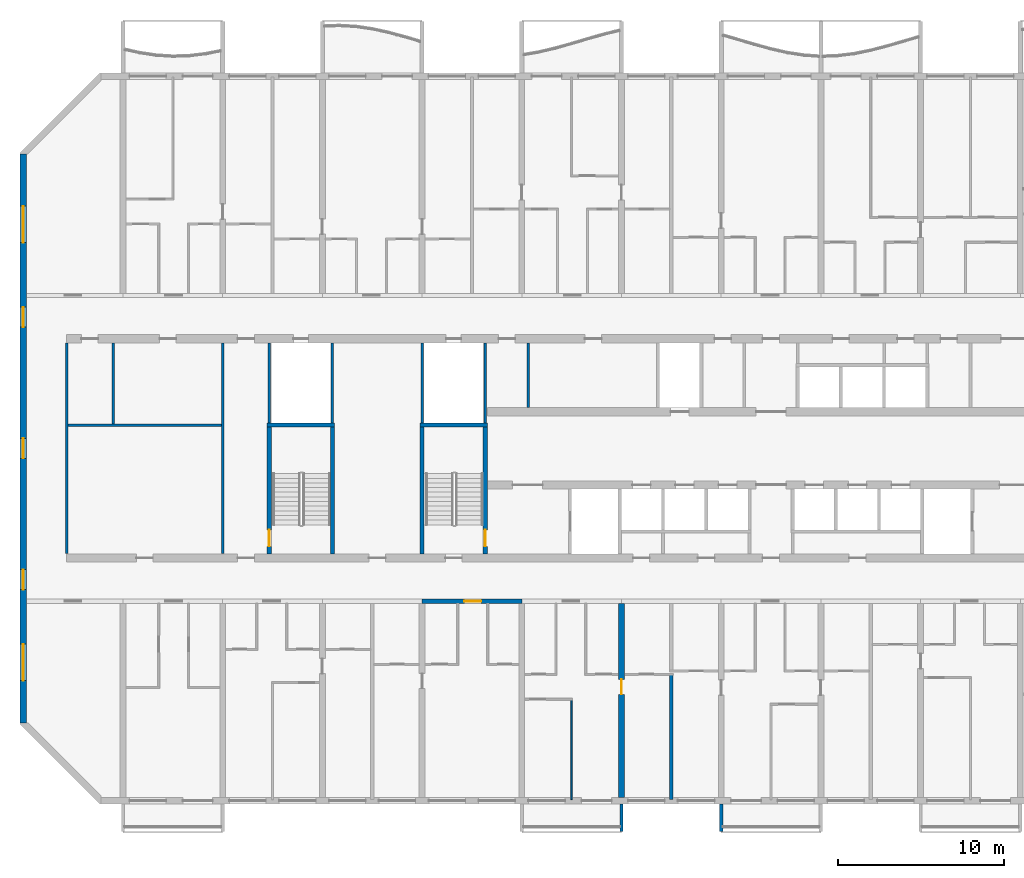
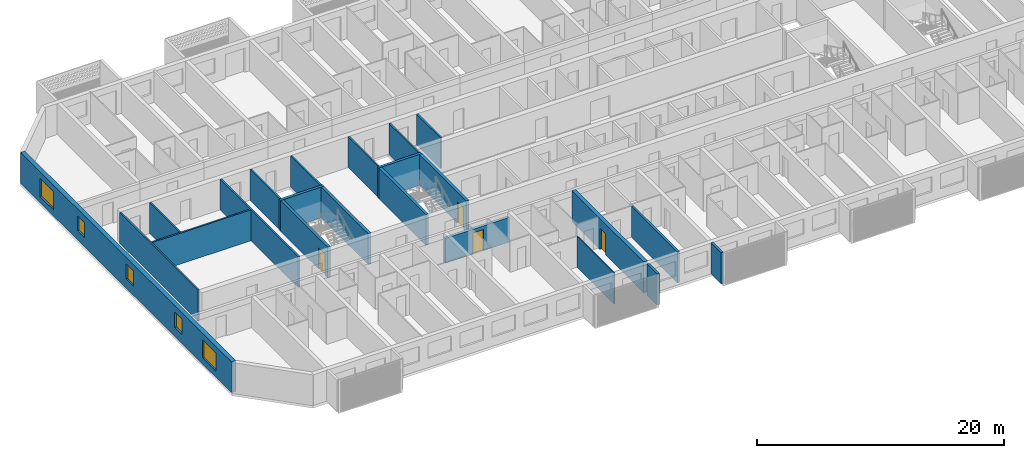
# One storey, part 3 of 26: 22 walls, 5 windows, 4 doors, 9 openings.
"""IFC4 building model written with IfcOpenShell, lengths in metres."""

from ifc_helpers import new_model, si_unit, direction, frame, frame_2d, origin, place, context, subcontext, project, spatial, polyline, rectangle, outline, extrude, source, transform, mapped, material, layer, layer_set, type_object, element, fill, save


model = new_model("IFC4")

# Units and contexts
model_context = context("Model", 3, precision=1e-05, world=origin(), true_north=direction((0.0, 1.0)))
body_context = subcontext(model_context, "Body", "Model", "MODEL_VIEW")
ifc_project = project(units=[si_unit("LENGTHUNIT", "METRE"), si_unit("AREAUNIT", "SQUARE_METRE"), si_unit("VOLUMEUNIT", "CUBIC_METRE"), si_unit("PLANEANGLEUNIT", "RADIAN"), si_unit("MASSUNIT", "GRAM", prefix="KILO")], contexts=[model_context])

# Site, building, storey
site_placement = place(None, origin())
site = spatial("IfcSite", under=ifc_project, at=site_placement, CompositionType="ELEMENT")
building_placement = place(site_placement, origin())
building = spatial("IfcBuilding", under=site, at=building_placement, Name="Poui Terraces", CompositionType="ELEMENT")
storey_placement = place(building_placement, frame((0.0, 0.0, 96.0)))
storey = spatial("IfcBuildingStorey", under=building, at=storey_placement, Name="L26", CompositionType="ELEMENT", Elevation=96.0)

# Walls
ifc_material_1 = material(Name="Fire-rated plasterboard wall")
ifc_layer_1 = layer(ifc_material_1, 0.14990234375)
ifc_layer_set_1 = layer_set([ifc_layer_1], Name="Fire-rated plasterboard wall")
wall_type_1 = type_object("IfcWallType", Name="CORRIDOR WALL 150", PredefinedType="PARTITIONING", material=ifc_layer_set_1)
for number, where, z_axis, x_axis, name in (
    (1, (8.60009765625, 14.860107421875, 0.0), (0.0, 0.0, 1.0), (0.0, 1.0, 0.0), "CORRIDOR WALL 150"),
    (2, (18.0, 14.860107421875, 0.0), (0.0, 0.0, 1.0), (0.0, 1.0, 0.0), "CORRIDOR WALL 150"),
):
    element("IfcWall", number, at=place(storey_placement, frame(where, z_axis=z_axis, x_axis=x_axis)), inside=storey, type_object=wall_type_1, Name=name, PredefinedType="PARTITIONING", context=body_context, shape_type="SweptSolid", body=[
        extrude(rectangle(XDim=12.679931640625, YDim=0.14990234375, at=frame_2d((6.33984375, 0.0))), origin(), (0.0, 0.0, 1.0), 3.06005859375),
    ])

# Wall, opening, door
ifc_material_2 = material(Name="Concrete 65 MPa", Category="concrete")
ifc_layer_2 = layer(ifc_material_2, 0.25)
ifc_layer_set_2 = layer_set([ifc_layer_2], Name="Concrete 65 MPa")
wall_type_2 = type_object("IfcWallType", Name="CORRIDOR WALL 250 65MPa", PredefinedType="SHEAR", material=ifc_layer_set_2)
wall_1_placement = place(storey_placement, frame((30.0, 12.0, 0.0), z_axis=(0.0, 0.0, 1.0), x_axis=(1.0, 0.0, 0.0)))
wall_1 = element("IfcWall", 3, at=wall_1_placement, inside=storey, type_object=wall_type_2, Name="CORRIDOR WALL LINE B BAY 5", PredefinedType="SHEAR", context=body_context, shape_type="SweptSolid", body=[
    extrude(rectangle(XDim=6.0, YDim=0.25, at=frame_2d((3.0, 0.0))), origin(), (0.0, 0.0, 1.0), 2.4599609375),
])
opening_1_placement = place(wall_1_placement, frame((2.550048828125, 0.0, 0.0)))
opening_1 = element("IfcOpeningElement", 4, at=opening_1_placement, cuts=wall_1, Name="Opening FD30S", PredefinedType="OPENING", context=body_context, shape_type="SweptSolid", body=[
    extrude(rectangle(XDim=1.0, YDim=2.10009765625, at=frame_2d((0.5, 1.050048828125))), frame((0.0, 0.135009765625, 0.0), z_axis=(0.0, -1.0, 0.0), x_axis=(1.0, 0.0, 0.0)), (0.0, 0.0, 1.0), 0.27001953125),
])
ifc_material_3 = material(Name="Steel fire door", Category="steel")
door_type_1 = type_object("IfcDoorType", Name="FLAT ENTRANCE DOOR 1000 X 2100", OperationType="NOTDEFINED", PredefinedType="DOOR", material=ifc_material_3)
door_1_placement = place(opening_1_placement, frame((1.0, 0.0, 0.0), z_axis=(0.0, 0.0, 1.0), x_axis=(-1.0, 0.0, 0.0)))
door_1 = element("IfcDoor", 5, at=door_1_placement, inside=storey, type_object=door_type_1, Name="FLAT ENTRANCE DOOR 096", OperationType="SINGLE_SWING_LEFT", OverallHeight=2.10009765625, OverallWidth=1.0, PredefinedType="DOOR", context=body_context, shape_type="SweptSolid", body=[
    extrude(rectangle(XDim=1.0, YDim=2.10009765625, at=frame_2d((0.5, 1.050048828125))), frame((0.0, 0.02490234375, 0.0), z_axis=(0.0, -1.0, 0.0), x_axis=(1.0, 0.0, 0.0)), (0.0, 0.0, 1.0), 0.050048828125),
])
fill(opening_1, door_1)

ifc_layer_3 = layer(ifc_material_2, 0.35009765625)
ifc_layer_set_3 = layer_set([ifc_layer_3], Name="Concrete 65 MPa")
wall_type_3 = type_object("IfcWallType", Name="CROSS WALL 350 65MPa", PredefinedType="SHEAR", material=ifc_layer_set_3)
wall_2_placement = place(storey_placement, frame((42.0, 0.199951171875, 0.0), z_axis=(0.0, 0.0, 1.0), x_axis=(0.0, 1.0, 0.0)))
wall_2 = element("IfcWall", 6, at=wall_2_placement, inside=storey, type_object=wall_type_3, Name="CROSS WALL LINE 8 SOUTH", PredefinedType="SHEAR", context=body_context, shape_type="SweptSolid", body=[
    extrude(rectangle(XDim=11.675048828125, YDim=0.35009765625, at=frame_2d((5.83740234375, 0.0))), origin(), (0.0, 0.0, 1.0), 3.06005859375),
])
opening_2_placement = place(wall_2_placement, frame((6.199951171875, 0.0, 0.0)))
opening_2 = element("IfcOpeningElement", 7, at=opening_2_placement, cuts=wall_2, Name="Opening D90", PredefinedType="OPENING", context=body_context, shape_type="SweptSolid", body=[
    extrude(rectangle(XDim=0.89990234375, YDim=2.10009765625, at=frame_2d((0.449951171875, 1.050048828125))), frame((0.0, 0.18505859375, 0.0), z_axis=(0.0, -1.0, 0.0), x_axis=(1.0, 0.0, 0.0)), (0.0, 0.0, 1.0), 0.3701171875),
])
ifc_material_4 = material(Name="Solid core timber door", Category="wood")
door_type_2 = type_object("IfcDoorType", Name="INTERNAL DOOR 900 X 2100", OperationType="NOTDEFINED", PredefinedType="DOOR", material=ifc_material_4)
door_2_placement = place(opening_2_placement, frame((0.89990234375, 0.0, 0.0), z_axis=(0.0, 0.0, 1.0), x_axis=(-1.0, 0.0, 0.0)))
door_2 = element("IfcDoor", 8, at=door_2_placement, inside=storey, type_object=door_type_2, Name="INTERNAL DOOR 103", OperationType="SINGLE_SWING_LEFT", OverallHeight=2.10009765625, OverallWidth=0.89990234375, PredefinedType="DOOR", context=body_context, shape_type="SweptSolid", body=[
    extrude(rectangle(XDim=0.89990234375, YDim=2.10009765625, at=frame_2d((0.449951171875, 1.050048828125))), frame((0.0, 0.02490234375, 0.0), z_axis=(0.0, -1.0, 0.0), x_axis=(1.0, 0.0, 0.0)), (0.0, 0.0, 1.0), 0.050048828125),
])
fill(opening_2, door_2)

# Wall, openings, windows
ifc_layer_4 = layer(ifc_material_2, 0.39990234375)
ifc_layer_set_4 = layer_set([ifc_layer_4], Name="Concrete 65 MPa")
wall_type_4 = type_object("IfcWallType", Name="END WALL 400 65MPa", PredefinedType="SHEAR", material=ifc_layer_set_4)
wall_3_placement = place(storey_placement, frame((6.0, 4.682861328125, 0.0), z_axis=(0.0, 0.0, 1.0), x_axis=(0.0, 1.0, 0.0)))
wall_3 = element("IfcWall", 9, at=wall_3_placement, inside=storey, type_object=wall_type_4, Name="END WALL WEST", PredefinedType="SHEAR", context=body_context, shape_type="SweptSolid", body=[
    extrude(rectangle(XDim=34.234375, YDim=0.39990234375, at=frame_2d((17.1171875, 0.0))), origin(), (0.0, 0.0, 1.0), 3.06005859375),
])
opening_3_placement = place(wall_3_placement, frame((23.817138671875, 0.0, 0.89990234375)))
opening_3 = element("IfcOpeningElement", 10, at=opening_3_placement, cuts=wall_3, Name="Opening W2", PredefinedType="OPENING", context=body_context, shape_type="SweptSolid", body=[
    extrude(rectangle(XDim=1.199951171875, YDim=1.5, at=frame_2d((0.60009765625, 0.75))), frame((0.0, 0.2099609375, 0.0), z_axis=(0.0, -1.0, 0.0), x_axis=(1.0, 0.0, 0.0)), (0.0, 0.0, 1.0), 0.419921875),
])
opening_4_placement = place(wall_3_placement, frame((8.01708984375, 0.0, 0.89990234375)))
opening_4 = element("IfcOpeningElement", 11, at=opening_4_placement, cuts=wall_3, Name="Opening W2", PredefinedType="OPENING", context=body_context, shape_type="SweptSolid", body=[
    extrude(rectangle(XDim=1.199951171875, YDim=1.5, at=frame_2d((0.60009765625, 0.75))), frame((0.0, 0.2099609375, 0.0), z_axis=(0.0, -1.0, 0.0), x_axis=(1.0, 0.0, 0.0)), (0.0, 0.0, 1.0), 0.419921875),
])
opening_5_placement = place(wall_3_placement, frame((15.917236328125, 0.0, 0.89990234375)))
opening_5 = element("IfcOpeningElement", 12, at=opening_5_placement, cuts=wall_3, Name="Opening W2", PredefinedType="OPENING", context=body_context, shape_type="SweptSolid", body=[
    extrude(rectangle(XDim=1.199951171875, YDim=1.5, at=frame_2d((0.60009765625, 0.75))), frame((0.0, 0.2099609375, 0.0), z_axis=(0.0, -1.0, 0.0), x_axis=(1.0, 0.0, 0.0)), (0.0, 0.0, 1.0), 0.419921875),
])
opening_6_placement = place(wall_3_placement, frame((28.8935546875, 0.0, 0.60009765625)))
opening_6 = element("IfcOpeningElement", 13, at=opening_6_placement, cuts=wall_3, Name="Opening W3", PredefinedType="OPENING", context=body_context, shape_type="SweptSolid", body=[
    extrude(rectangle(XDim=2.199951171875, YDim=1.800048828125, at=frame_2d((1.10009765625, 0.89990234375))), frame((0.0, 0.2099609375, 0.0), z_axis=(0.0, -1.0, 0.0), x_axis=(1.0, 0.0, 0.0)), (0.0, 0.0, 1.0), 0.419921875),
])
opening_7_placement = place(wall_3_placement, frame((2.541015625, 0.0, 0.60009765625)))
opening_7 = element("IfcOpeningElement", 14, at=opening_7_placement, cuts=wall_3, Name="Opening W3", PredefinedType="OPENING", context=body_context, shape_type="SweptSolid", body=[
    extrude(rectangle(XDim=2.199951171875, YDim=1.800048828125, at=frame_2d((1.10009765625, 0.89990234375))), frame((0.0, 0.2099609375, 0.0), z_axis=(0.0, -1.0, 0.0), x_axis=(1.0, 0.0, 0.0)), (0.0, 0.0, 1.0), 0.419921875),
])
ifc_material_5 = material(Name="Clear glass in aluminium frame", Category="aluminium")
window_type_1 = type_object("IfcWindowType", Name="WINDOW 1200X1500", PartitioningType="SINGLE_PANEL", PredefinedType="WINDOW", material=ifc_material_5)
window_1_placement = place(opening_3_placement, origin())
window_1 = element("IfcWindow", 15, at=window_1_placement, inside=storey, type_object=window_type_1, Name="W2 WINDOW", OverallHeight=1.5, OverallWidth=1.199951171875, PartitioningType="SINGLE_PANEL", PredefinedType="WINDOW", context=body_context, shape_type="SweptSolid", body=[
    extrude(rectangle(XDim=1.199951171875, YDim=1.5, at=frame_2d((0.60009765625, 0.75))), frame((0.0, 0.030029296875, 0.0), z_axis=(0.0, -1.0, 0.0), x_axis=(1.0, 0.0, 0.0)), (0.0, 0.0, 1.0), 0.06005859375),
])
fill(opening_3, window_1)
window_2_placement = place(opening_4_placement, origin())
window_2 = element("IfcWindow", 16, at=window_2_placement, inside=storey, type_object=window_type_1, Name="W2 WINDOW", OverallHeight=1.5, OverallWidth=1.199951171875, PartitioningType="SINGLE_PANEL", PredefinedType="WINDOW", context=body_context, shape_type="SweptSolid", body=[
    extrude(rectangle(XDim=1.199951171875, YDim=1.5, at=frame_2d((0.60009765625, 0.75))), frame((0.0, 0.030029296875, 0.0), z_axis=(0.0, -1.0, 0.0), x_axis=(1.0, 0.0, 0.0)), (0.0, 0.0, 1.0), 0.06005859375),
])
fill(opening_4, window_2)
window_3_placement = place(opening_5_placement, origin())
window_3 = element("IfcWindow", 17, at=window_3_placement, inside=storey, type_object=window_type_1, Name="W2 WINDOW", OverallHeight=1.5, OverallWidth=1.199951171875, PartitioningType="SINGLE_PANEL", PredefinedType="WINDOW", context=body_context, shape_type="SweptSolid", body=[
    extrude(rectangle(XDim=1.199951171875, YDim=1.5, at=frame_2d((0.60009765625, 0.75))), frame((0.0, 0.030029296875, 0.0), z_axis=(0.0, -1.0, 0.0), x_axis=(1.0, 0.0, 0.0)), (0.0, 0.0, 1.0), 0.06005859375),
])
fill(opening_5, window_3)
window_type_2 = type_object("IfcWindowType", Name="WINDOW 2200X1800", PartitioningType="DOUBLE_PANEL_HORIZONTAL", PredefinedType="WINDOW", material=ifc_material_5)
window_4_placement = place(opening_6_placement, origin())
window_4 = element("IfcWindow", 18, at=window_4_placement, inside=storey, type_object=window_type_2, Name="W3 WINDOW", OverallHeight=1.800048828125, OverallWidth=2.199951171875, PartitioningType="DOUBLE_PANEL_HORIZONTAL", PredefinedType="WINDOW", context=body_context, shape_type="SweptSolid", body=[
    extrude(rectangle(XDim=2.199951171875, YDim=1.800048828125, at=frame_2d((1.10009765625, 0.89990234375))), frame((0.0, 0.030029296875, 0.0), z_axis=(0.0, -1.0, 0.0), x_axis=(1.0, 0.0, 0.0)), (0.0, 0.0, 1.0), 0.06005859375),
])
fill(opening_6, window_4)
window_5_placement = place(opening_7_placement, origin())
window_5 = element("IfcWindow", 19, at=window_5_placement, inside=storey, type_object=window_type_2, Name="W3 WINDOW", OverallHeight=1.800048828125, OverallWidth=2.199951171875, PartitioningType="DOUBLE_PANEL_HORIZONTAL", PredefinedType="WINDOW", context=body_context, shape_type="SweptSolid", body=[
    extrude(rectangle(XDim=2.199951171875, YDim=1.800048828125, at=frame_2d((1.10009765625, 0.89990234375))), frame((0.0, 0.030029296875, 0.0), z_axis=(0.0, -1.0, 0.0), x_axis=(1.0, 0.0, 0.0)), (0.0, 0.0, 1.0), 0.06005859375),
])
fill(opening_7, window_5)

# Walls
ifc_material_6 = material(Name="Plasterboard partition")
ifc_layer_5 = layer(ifc_material_6, 0.10009765625)
ifc_layer_set_5 = layer_set([ifc_layer_5], Name="Plasterboard partition")
wall_type_5 = type_object("IfcWallType", Name="FLAT PARTITION 100", PredefinedType="PARTITIONING", material=ifc_layer_set_5)
wall_4_placement = place(storey_placement, frame((39.0, 0.06005859375, 0.0), z_axis=(0.0, 0.0, 1.0), x_axis=(0.0, 1.0, 0.0)))
element("IfcWall", 20, at=wall_4_placement, inside=storey, type_object=wall_type_5, Name="FLAT PARTITION 100", PredefinedType="PARTITIONING", context=body_context, shape_type="SweptSolid", body=[
    extrude(rectangle(XDim=5.989990234375, YDim=0.10009765625, at=frame_2d((2.9951171875, 0.0))), origin(), (0.0, 0.0, 1.0), 3.06005859375),
])
ifc_material_7 = material(Name="Fire-rated masonry wall", Category="masonry")
ifc_layer_6 = layer(ifc_material_7, 0.199951171875)
ifc_layer_set_6 = layer_set([ifc_layer_6], Name="Fire-rated masonry wall")
wall_type_6 = type_object("IfcWallType", Name="FLAT PARTY WALL 200", PredefinedType="PARTITIONING", material=ifc_layer_set_6)
wall_5_placement = place(storey_placement, frame((45.0, 0.06005859375, 0.0), z_axis=(0.0, 0.0, 1.0), x_axis=(0.0, 1.0, 0.0)))
element("IfcWall", 21, at=wall_5_placement, inside=storey, type_object=wall_type_6, Name="FLAT PARTY WALL 200", PredefinedType="PARTITIONING", context=body_context, shape_type="SweptSolid", body=[
    extrude(rectangle(XDim=7.489990234375, YDim=0.199951171875, at=frame_2d((3.7451171875, 0.0))), origin(), (0.0, 0.0, 1.0), 3.06005859375),
])
ifc_layer_7 = layer(ifc_material_6, 0.14990234375)
ifc_layer_set_7 = layer_set([ifc_layer_7], Name="Plasterboard partition")
wall_type_7 = type_object("IfcWallType", Name="PARTITION WALL 150", PredefinedType="PARTITIONING", material=ifc_layer_set_7)
wall_6_placement = place(storey_placement, frame((8.675048828125, 22.60009765625, 0.0), z_axis=(0.0, 0.0, 1.0), x_axis=(1.0, 0.0, 0.0)))
element("IfcWall", 22, at=wall_6_placement, inside=storey, type_object=wall_type_7, Name="PARTITION WALL 150", PredefinedType="PARTITIONING", context=body_context, shape_type="SweptSolid", body=[
    extrude(rectangle(XDim=9.25, YDim=0.14990234375, at=frame_2d((4.625, 0.0))), origin(), (0.0, 0.0, 1.0), 3.06005859375),
])
wall_7_placement = place(storey_placement, frame((11.39990234375, 22.675048828125, 0.0), z_axis=(0.0, 0.0, 1.0), x_axis=(0.0, 1.0, 0.0)))
element("IfcWall", 23, at=wall_7_placement, inside=storey, type_object=wall_type_7, Name="PARTITION WALL 150", PredefinedType="PARTITIONING", context=body_context, shape_type="SweptSolid", body=[
    extrude(rectangle(XDim=4.864990234375, YDim=0.14990234375, at=frame_2d((2.4326171875, 0.0))), origin(), (0.0, 0.0, 1.0), 3.06005859375),
])
wall_8_placement = place(storey_placement, frame((36.39990234375, 23.659912109375, 0.0), z_axis=(0.0, 0.0, 1.0), x_axis=(0.0, 1.0, 0.0)))
element("IfcWall", 24, at=wall_8_placement, inside=storey, type_object=wall_type_7, Name="PARTITION WALL 150", PredefinedType="PARTITIONING", context=body_context, shape_type="SweptSolid", body=[
    extrude(rectangle(XDim=3.880126953125, YDim=0.14990234375, at=frame_2d((1.93994140625, 0.0))), origin(), (0.0, 0.0, 1.0), 3.06005859375),
])
ifc_material_8 = material(Name="Fire-rated plasterboard riser wall")
ifc_layer_8 = layer(ifc_material_8, 0.14990234375)
ifc_layer_set_8 = layer_set([ifc_layer_8], Name="Fire-rated plasterboard riser wall")
wall_type_8 = type_object("IfcWallType", Name="RISER WALL 150", PredefinedType="PARTITIONING", material=ifc_layer_set_8)
for number, where, z_axis, x_axis, name in (
    (25, (20.800048828125, 22.735107421875, 0.0), (0.0, 0.0, 1.0), (0.0, 1.0, 0.0), "RISER WALL 150"),
    (26, (24.60009765625, 22.735107421875, 0.0), (0.0, 0.0, 1.0), (0.0, 1.0, 0.0), "RISER WALL 150"),
    (27, (30.0, 22.735107421875, 0.0), (0.0, 0.0, 1.0), (0.0, 1.0, 0.0), "RISER WALL 150"),
    (28, (33.800048828125, 22.735107421875, 0.0), (0.0, 0.0, 1.0), (0.0, 1.0, 0.0), "RISER WALL 150"),
):
    element("IfcWall", number, at=place(storey_placement, frame(where, z_axis=z_axis, x_axis=x_axis)), inside=storey, type_object=wall_type_8, Name=name, PredefinedType="PARTITIONING", context=body_context, shape_type="SweptSolid", body=[
        extrude(rectangle(XDim=4.804931640625, YDim=0.14990234375, at=frame_2d((2.40234375, 0.0))), origin(), (0.0, 0.0, 1.0), 3.06005859375),
    ])
ifc_layer_9 = layer(ifc_material_2, 0.25)
ifc_layer_set_9 = layer_set([ifc_layer_9], Name="Concrete 65 MPa")
wall_type_9 = type_object("IfcWallType", Name="STAIR CORE WALL 250 65 MPA", PredefinedType="SOLIDWALL", material=ifc_layer_set_9)
wall_9_placement = place(storey_placement, frame((30.0, 14.85009765625, 0.0), z_axis=(0.0, 0.0, 1.0), x_axis=(0.0, 1.0, 0.0)))
element("IfcWall", 29, at=wall_9_placement, inside=storey, type_object=wall_type_9, Name="STAIR CORE WALL", PredefinedType="SOLIDWALL", context=body_context, shape_type="SweptSolid", body=[
    extrude(rectangle(XDim=7.625, YDim=0.25, at=frame_2d((3.8125, 0.0))), origin(), (0.0, 0.0, 1.0), 3.06005859375),
])

# Wall, opening, door
wall_10_placement = place(storey_placement, frame((33.800048828125, 14.85009765625, 0.0), z_axis=(0.0, 0.0, 1.0), x_axis=(0.0, 1.0, 0.0)))
wall_10 = element("IfcWall", 30, at=wall_10_placement, inside=storey, type_object=wall_type_9, Name="STAIR CORE WALL", PredefinedType="SOLIDWALL", context=body_context, shape_type="SweptSolid", body=[
    extrude(rectangle(XDim=7.625, YDim=0.25, at=frame_2d((3.8125, 0.0))), origin(), (0.0, 0.0, 1.0), 3.06005859375),
])
opening_8_placement = place(wall_10_placement, frame((0.449951171875, 0.0, 0.0)))
opening_8 = element("IfcOpeningElement", 31, at=opening_8_placement, cuts=wall_10, Name="Opening FD60S", PredefinedType="OPENING", context=body_context, shape_type="SweptSolid", body=[
    extrude(rectangle(XDim=1.0, YDim=2.10009765625, at=frame_2d((0.5, 1.050048828125))), frame((0.0, 0.135009765625, 0.0), z_axis=(0.0, -1.0, 0.0), x_axis=(1.0, 0.0, 0.0)), (0.0, 0.0, 1.0), 0.27001953125),
])
door_type_3 = type_object("IfcDoorType", Name="STAIR DOOR 1000 X 2100", OperationType="NOTDEFINED", PredefinedType="DOOR", material=ifc_material_3)
door_3_placement = place(opening_8_placement, origin())
door_3 = element("IfcDoor", 32, at=door_3_placement, inside=storey, type_object=door_type_3, Name="STAIR DOOR 134", OperationType="SINGLE_SWING_LEFT", OverallHeight=2.10009765625, OverallWidth=1.0, PredefinedType="DOOR", context=body_context, shape_type="SweptSolid", body=[
    extrude(rectangle(XDim=1.0, YDim=2.10009765625, at=frame_2d((0.5, 1.050048828125))), frame((0.0, 0.02490234375, 0.0), z_axis=(0.0, -1.0, 0.0), x_axis=(1.0, 0.0, 0.0)), (0.0, 0.0, 1.0), 0.050048828125),
])
fill(opening_8, door_3)

# Wall
wall_11_placement = place(storey_placement, frame((29.875, 22.60009765625, 0.0), z_axis=(0.0, 0.0, 1.0), x_axis=(1.0, 0.0, 0.0)))
element("IfcWall", 33, at=wall_11_placement, inside=storey, type_object=wall_type_9, Name="STAIR CORE WALL", PredefinedType="SOLIDWALL", context=body_context, shape_type="SweptSolid", body=[
    extrude(rectangle(XDim=4.050048828125, YDim=0.25, at=frame_2d((2.02490234375, 0.0))), origin(), (0.0, 0.0, 1.0), 3.06005859375),
])

# Wall, opening, door
wall_12_placement = place(storey_placement, frame((20.800048828125, 14.85009765625, 0.0), z_axis=(0.0, 0.0, 1.0), x_axis=(0.0, 1.0, 0.0)))
wall_12 = element("IfcWall", 34, at=wall_12_placement, inside=storey, type_object=wall_type_9, Name="STAIR CORE WALL", PredefinedType="SOLIDWALL", context=body_context, shape_type="SweptSolid", body=[
    extrude(rectangle(XDim=7.625, YDim=0.25, at=frame_2d((3.8125, 0.0))), origin(), (0.0, 0.0, 1.0), 3.06005859375),
])
opening_9_placement = place(wall_12_placement, frame((0.449951171875, 0.0, 0.0)))
opening_9 = element("IfcOpeningElement", 35, at=opening_9_placement, cuts=wall_12, Name="Opening FD60S", PredefinedType="OPENING", context=body_context, shape_type="SweptSolid", body=[
    extrude(rectangle(XDim=1.0, YDim=2.10009765625, at=frame_2d((0.5, 1.050048828125))), frame((0.0, 0.135009765625, 0.0), z_axis=(0.0, -1.0, 0.0), x_axis=(1.0, 0.0, 0.0)), (0.0, 0.0, 1.0), 0.27001953125),
])
door_4_placement = place(opening_9_placement, frame((1.0, 0.0, 0.0), z_axis=(0.0, 0.0, 1.0), x_axis=(-1.0, 0.0, 0.0)))
door_4 = element("IfcDoor", 36, at=door_4_placement, inside=storey, type_object=door_type_3, Name="STAIR DOOR 148", OperationType="SINGLE_SWING_RIGHT", OverallHeight=2.10009765625, OverallWidth=1.0, PredefinedType="DOOR", context=body_context, shape_type="SweptSolid", body=[
    extrude(rectangle(XDim=1.0, YDim=2.10009765625, at=frame_2d((0.5, 1.050048828125))), frame((0.0, 0.02490234375, 0.0), z_axis=(0.0, -1.0, 0.0), x_axis=(1.0, 0.0, 0.0)), (0.0, 0.0, 1.0), 0.050048828125),
])
fill(opening_9, door_4)

# Walls
wall_13_placement = place(storey_placement, frame((24.60009765625, 14.85009765625, 0.0), z_axis=(0.0, 0.0, 1.0), x_axis=(0.0, 1.0, 0.0)))
element("IfcWall", 37, at=wall_13_placement, inside=storey, type_object=wall_type_9, Name="STAIR CORE WALL", PredefinedType="SOLIDWALL", context=body_context, shape_type="SweptSolid", body=[
    extrude(rectangle(XDim=7.625, YDim=0.25, at=frame_2d((3.8125, 0.0))), origin(), (0.0, 0.0, 1.0), 3.06005859375),
])
wall_14_placement = place(storey_placement, frame((20.675048828125, 22.60009765625, 0.0), z_axis=(0.0, 0.0, 1.0), x_axis=(1.0, 0.0, 0.0)))
element("IfcWall", 38, at=wall_14_placement, inside=storey, type_object=wall_type_9, Name="STAIR CORE WALL", PredefinedType="SOLIDWALL", context=body_context, shape_type="SweptSolid", body=[
    extrude(rectangle(XDim=4.050048828125, YDim=0.25, at=frame_2d((2.02490234375, 0.0))), origin(), (0.0, 0.0, 1.0), 3.06005859375),
])
ifc_material_9 = material(Name="Precast concrete 40 MPa", Category="concrete")
ifc_layer_10 = layer(ifc_material_9, 0.199951171875)
ifc_layer_set_10 = layer_set([ifc_layer_10], Name="Precast concrete 40 MPa")
wall_type_10 = type_object("IfcWallType", Name="REAR FIN 200", PredefinedType="STANDARD", material=ifc_layer_set_10)
shared_shape = source(origin(), body_context, "Body", "SweptSolid", [
    extrude(outline(polyline([(0.0, 0.0), (0.2001953125, 0.0), (0.2001953125, 1.650146484375), (0.0, 1.650146484375), (0.0, 0.0)])), origin(), (0.0, 0.0, 1.0), 3.10009765625),
])
for number, where, name in (
    (39, (41.89990234375, -1.85009765625, 0.0), "REAR FIN"),
    (40, (47.89990234375, -1.85009765625, 0.0), "REAR FIN"),
):
    element("IfcWall", number, at=place(storey_placement, frame(where)), inside=storey, type_object=wall_type_10, Name=name, PredefinedType="STANDARD", context=body_context, shape_type="MappedRepresentation", body=[
        mapped(shared_shape, transform((0.0, 0.0, 0.0))),
    ])

save(model, "model.ifc")
